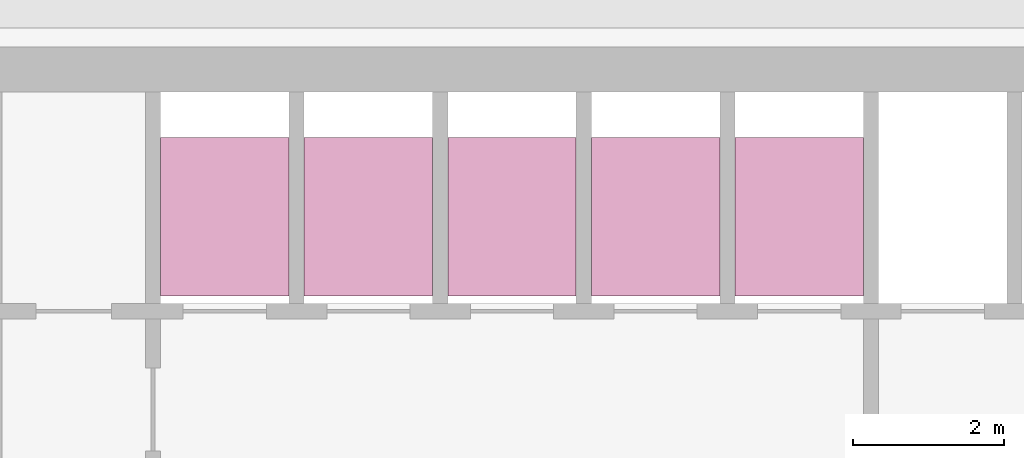
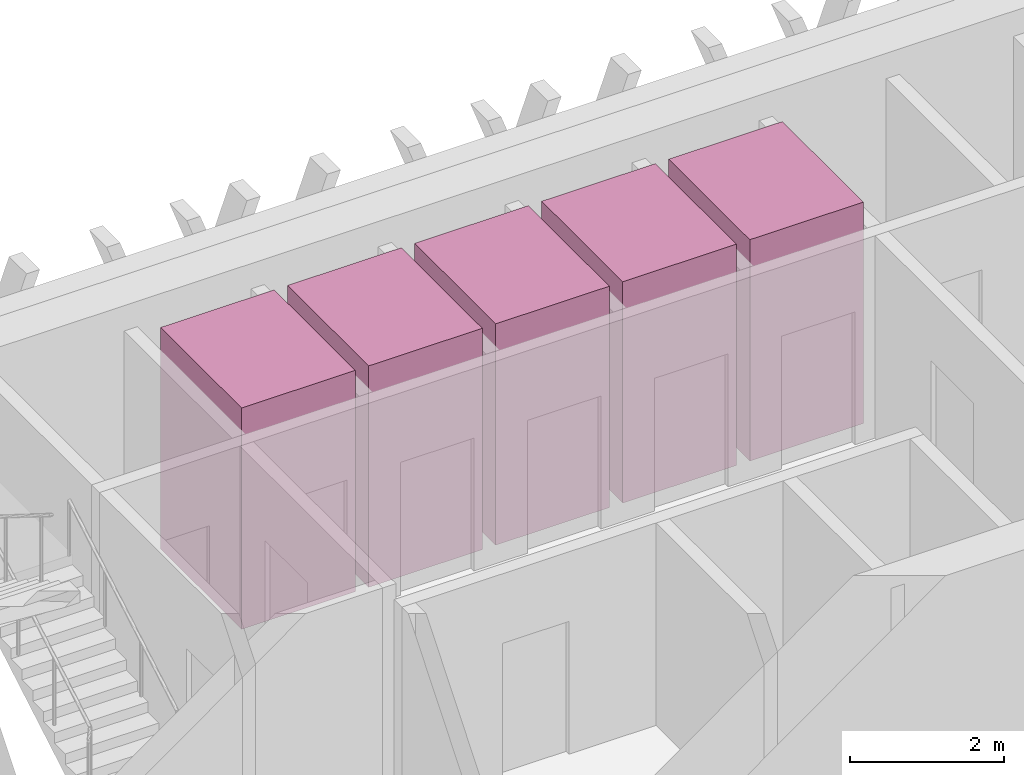
# One storey, part 22 of 22: 5 transport elements.
"""IFC4 building model written with IfcOpenShell, lengths in metres."""

from ifc_helpers import new_model, si_unit, direction, frame, origin, origin_2d, place, context, subcontext, project, spatial, rectangle, extrude, material, type_object, element, save


model = new_model("IFC4")

# Units and contexts
model_context = context("Model", 3, precision=1e-05, world=origin(), true_north=direction((0.0, 1.0)))
body_context = subcontext(model_context, "Body", "Model", "MODEL_VIEW")
ifc_project = project(units=[si_unit("LENGTHUNIT", "METRE"), si_unit("AREAUNIT", "SQUARE_METRE"), si_unit("VOLUMEUNIT", "CUBIC_METRE"), si_unit("PLANEANGLEUNIT", "RADIAN"), si_unit("MASSUNIT", "GRAM", prefix="KILO")], contexts=[model_context])

# Site, building, storey
site_placement = place(None, origin())
site = spatial("IfcSite", under=ifc_project, at=site_placement, CompositionType="ELEMENT")
building_placement = place(site_placement, origin())
building = spatial("IfcBuilding", under=site, at=building_placement, Name="Altiplano Prism Tower", CompositionType="ELEMENT")
storey_placement = place(building_placement, frame((0.0, 0.0, 219.39990234375)))
storey = spatial("IfcBuildingStorey", under=building, at=storey_placement, Name="L56", CompositionType="ELEMENT", Elevation=219.39990234375)

# Transport elements
ifc_material = material(Name="Stainless steel lift car", Category="steel")
transport_element_type = type_object("IfcTransportElementType", Name="Passenger lift car 1600 x 2100", PredefinedType="ELEVATOR", material=ifc_material)
for number, where, z_axis, x_axis, name in (
    (1, (79.050048828125, 101.75, 0.050048828125), (0.0, 0.0, 1.0), (1.0, 0.0, 0.0), "Mid Zone Passenger Lift 1"),
    (2, (80.949951171875, 101.75, 0.050048828125), (0.0, 0.0, 1.0), (1.0, 0.0, 0.0), "Mid Zone Passenger Lift 2"),
    (3, (82.85009765625, 101.75, 0.050048828125), (0.0, 0.0, 1.0), (1.0, 0.0, 0.0), "Mid Zone Passenger Lift 3"),
    (4, (84.75, 101.75, 0.050048828125), (0.0, 0.0, 1.0), (1.0, 0.0, 0.0), "Mid Zone Passenger Lift 4"),
    (5, (86.64990234375, 101.75, 0.050048828125), (0.0, 0.0, 1.0), (1.0, 0.0, 0.0), "Mid Zone Passenger Lift 5"),
):
    element("IfcTransportElement", number, at=place(storey_placement, frame(where, z_axis=z_axis, x_axis=x_axis)), inside=storey, type_object=transport_element_type, Name=name, PredefinedType="ELEVATOR", context=body_context, shape_type="SweptSolid", body=[
        extrude(rectangle(XDim=1.699951171875, YDim=2.10009765625, at=origin_2d()), origin(), (0.0, 0.0, 1.0), 3.5),
    ])

save(model, "model.ifc")
